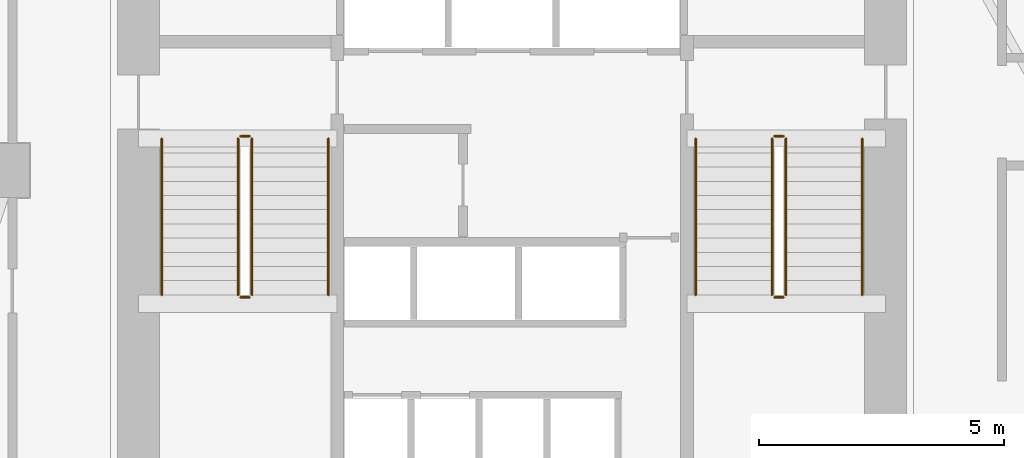
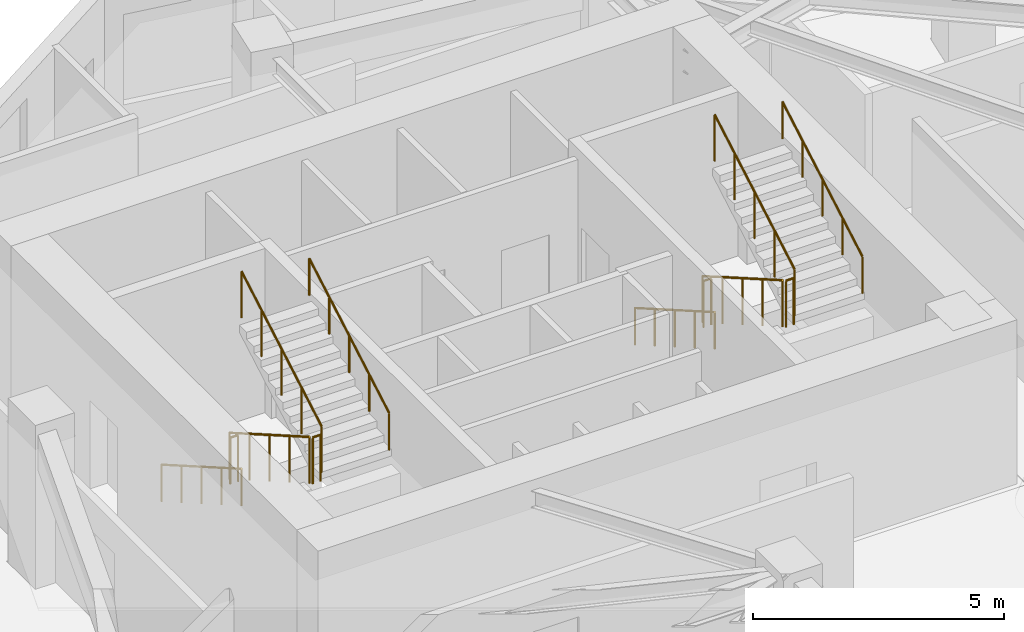
# One storey, part 9 of 9: 12 railings.
"""IFC4 building model written with IfcOpenShell, lengths in metres."""

from ifc_helpers import new_model, si_unit, direction, frame, origin, origin_2d, place, context, subcontext, project, spatial, circle, extrude, material, type_object, element, save


model = new_model("IFC4")

# Units and contexts
model_context = context("Model", 3, precision=1e-05, world=origin(), true_north=direction((0.0, 1.0)))
body_context = subcontext(model_context, "Body", "Model", "MODEL_VIEW")
ifc_project = project(units=[si_unit("LENGTHUNIT", "METRE"), si_unit("AREAUNIT", "SQUARE_METRE"), si_unit("VOLUMEUNIT", "CUBIC_METRE"), si_unit("PLANEANGLEUNIT", "RADIAN"), si_unit("MASSUNIT", "GRAM", prefix="KILO")], contexts=[model_context])

# Site, building, storey
site_placement = place(None, origin())
site = spatial("IfcSite", under=ifc_project, at=site_placement, CompositionType="ELEMENT")
building_placement = place(site_placement, origin())
building = spatial("IfcBuilding", under=site, at=building_placement, Name="Calvemar Wedge Station Tower", CompositionType="ELEMENT")
storey_placement = place(building_placement, frame((0.0, 0.0, 63.0)))
storey = spatial("IfcBuildingStorey", under=building, at=storey_placement, Name="L15", CompositionType="ELEMENT", Elevation=63.0)

# Railings
ifc_material_1 = material(Name="Stainless steel AISI 316L", Category="steel")
railing_type_1 = type_object("IfcRailingType", Name="RL-HANDRAIL-920", PredefinedType="HANDRAIL", material=ifc_material_1)
railing_1_placement = place(storey_placement, frame((16.64990234375, 41.14990234375, 0.166748046875)))
element("IfcRailing", 1, at=railing_1_placement, inside=storey, type_object=railing_type_1, Name="L15 ST-C1 stair handrail 1", PredefinedType="HANDRAIL", context=body_context, shape_type="SweptSolid", body=[
    extrude(circle(Radius=0.02392578125, at=origin_2d()), frame((0.0, 0.0, 0.89599609375), z_axis=(0.0, -0.867019545617, 0.498274128887), x_axis=(1.0, 0.0, 0.0)), (0.0, 0.0, 1.0), 3.67919921875),
    extrude(circle(Radius=0.02099609375, at=origin_2d()), origin(), (0.0, 0.0, 1.0), 0.871826171875),
    extrude(circle(Radius=0.02099609375, at=origin_2d()), frame((0.0, -0.79736328125, 0.458251953125)), (0.0, 0.0, 1.0), 0.871826171875),
    extrude(circle(Radius=0.02099609375, at=origin_2d()), frame((0.0, -1.594970703125, 0.91650390625)), (0.0, 0.0, 1.0), 0.871826171875),
    extrude(circle(Radius=0.02099609375, at=origin_2d()), frame((0.0, -2.392578125, 1.375)), (0.0, 0.0, 1.0), 0.871826171875),
    extrude(circle(Radius=0.02099609375, at=origin_2d()), frame((0.0, -3.18994140625, 1.833251953125)), (0.0, 0.0, 1.0), 0.871826171875),
])
railing_2_placement = place(storey_placement, frame((20.050048828125, 37.9599609375, 2.166748046875)))
element("IfcRailing", 2, at=railing_2_placement, inside=storey, type_object=railing_type_1, Name="L15 ST-C1 stair handrail 2", PredefinedType="HANDRAIL", context=body_context, shape_type="SweptSolid", body=[
    extrude(circle(Radius=0.02392578125, at=origin_2d()), frame((0.0, 0.0, 0.89599609375), z_axis=(0.0, 0.867019545617, 0.498274128887), x_axis=(-1.0, 0.0, 0.0)), (0.0, 0.0, 1.0), 3.67919921875),
    extrude(circle(Radius=0.02099609375, at=origin_2d()), origin(), (0.0, 0.0, 1.0), 0.871826171875),
    extrude(circle(Radius=0.02099609375, at=origin_2d()), frame((0.0, 0.79736328125, 0.458251953125)), (0.0, 0.0, 1.0), 0.871826171875),
    extrude(circle(Radius=0.02099609375, at=origin_2d()), frame((0.0, 1.594970703125, 0.91650390625)), (0.0, 0.0, 1.0), 0.871826171875),
    extrude(circle(Radius=0.02099609375, at=origin_2d()), frame((0.0, 2.392578125, 1.375)), (0.0, 0.0, 1.0), 0.871826171875),
    extrude(circle(Radius=0.02099609375, at=origin_2d()), frame((0.0, 3.18994140625, 1.833251953125)), (0.0, 0.0, 1.0), 0.871826171875),
])
railing_3_placement = place(storey_placement, frame((27.550048828125, 41.14990234375, 0.166748046875)))
element("IfcRailing", 3, at=railing_3_placement, inside=storey, type_object=railing_type_1, Name="L15 ST-C2 stair handrail 1", PredefinedType="HANDRAIL", context=body_context, shape_type="SweptSolid", body=[
    extrude(circle(Radius=0.02392578125, at=origin_2d()), frame((0.0, 0.0, 0.89599609375), z_axis=(0.0, -0.867019545617, 0.498274128887), x_axis=(1.0, 0.0, 0.0)), (0.0, 0.0, 1.0), 3.67919921875),
    extrude(circle(Radius=0.02099609375, at=origin_2d()), origin(), (0.0, 0.0, 1.0), 0.871826171875),
    extrude(circle(Radius=0.02099609375, at=origin_2d()), frame((0.0, -0.79736328125, 0.458251953125)), (0.0, 0.0, 1.0), 0.871826171875),
    extrude(circle(Radius=0.02099609375, at=origin_2d()), frame((0.0, -1.594970703125, 0.91650390625)), (0.0, 0.0, 1.0), 0.871826171875),
    extrude(circle(Radius=0.02099609375, at=origin_2d()), frame((0.0, -2.392578125, 1.375)), (0.0, 0.0, 1.0), 0.871826171875),
    extrude(circle(Radius=0.02099609375, at=origin_2d()), frame((0.0, -3.18994140625, 1.833251953125)), (0.0, 0.0, 1.0), 0.871826171875),
])
railing_4_placement = place(storey_placement, frame((30.949951171875, 37.9599609375, 2.166748046875)))
element("IfcRailing", 4, at=railing_4_placement, inside=storey, type_object=railing_type_1, Name="L15 ST-C2 stair handrail 2", PredefinedType="HANDRAIL", context=body_context, shape_type="SweptSolid", body=[
    extrude(circle(Radius=0.02392578125, at=origin_2d()), frame((0.0, 0.0, 0.89599609375), z_axis=(0.0, 0.867019545617, 0.498274128887), x_axis=(-1.0, 0.0, 0.0)), (0.0, 0.0, 1.0), 3.67919921875),
    extrude(circle(Radius=0.02099609375, at=origin_2d()), origin(), (0.0, 0.0, 1.0), 0.871826171875),
    extrude(circle(Radius=0.02099609375, at=origin_2d()), frame((0.0, 0.79736328125, 0.458251953125)), (0.0, 0.0, 1.0), 0.871826171875),
    extrude(circle(Radius=0.02099609375, at=origin_2d()), frame((0.0, 1.594970703125, 0.91650390625)), (0.0, 0.0, 1.0), 0.871826171875),
    extrude(circle(Radius=0.02099609375, at=origin_2d()), frame((0.0, 2.392578125, 1.375)), (0.0, 0.0, 1.0), 0.871826171875),
    extrude(circle(Radius=0.02099609375, at=origin_2d()), frame((0.0, 3.18994140625, 1.833251953125)), (0.0, 0.0, 1.0), 0.871826171875),
])
ifc_material_2 = material(Name="Painted steel guardrail ASTM A500 Grade C", Category="steel")
railing_type_2 = type_object("IfcRailingType", Name="RL-STAIR-GUARD-1150", PredefinedType="GUARDRAIL", material=ifc_material_2)
railing_5_placement = place(storey_placement, frame((18.2099609375, 41.14990234375, 0.166748046875)))
element("IfcRailing", 5, at=railing_5_placement, inside=storey, type_object=railing_type_2, Name="L15 ST-C1 stair guard 1", PredefinedType="GUARDRAIL", context=body_context, shape_type="SweptSolid", body=[
    extrude(circle(Radius=0.02392578125, at=origin_2d()), frame((0.0, 0.0, 1.1259765625), z_axis=(0.0, -0.867019545617, 0.498274128887), x_axis=(1.0, 0.0, 0.0)), (0.0, 0.0, 1.0), 3.67919921875),
    extrude(circle(Radius=0.02099609375, at=origin_2d()), origin(), (0.0, 0.0, 1.0), 1.101806640625),
    extrude(circle(Radius=0.02099609375, at=origin_2d()), frame((0.0, -0.79736328125, 0.458251953125)), (0.0, 0.0, 1.0), 1.101806640625),
    extrude(circle(Radius=0.02099609375, at=origin_2d()), frame((0.0, -1.594970703125, 0.91650390625)), (0.0, 0.0, 1.0), 1.101806640625),
    extrude(circle(Radius=0.02099609375, at=origin_2d()), frame((0.0, -2.392578125, 1.375)), (0.0, 0.0, 1.0), 1.101806640625),
    extrude(circle(Radius=0.02099609375, at=origin_2d()), frame((0.0, -3.18994140625, 1.833251953125)), (0.0, 0.0, 1.0), 1.101806640625),
])
railing_6_placement = place(storey_placement, frame((18.260009765625, 37.909912109375, 2.0)))
element("IfcRailing", 6, at=railing_6_placement, inside=storey, type_object=railing_type_2, Name="L15 ST-C1 stair guard 2", PredefinedType="GUARDRAIL", context=body_context, shape_type="SweptSolid", body=[
    extrude(circle(Radius=0.02392578125, at=origin_2d()), frame((0.0, 0.0, 1.1259765625), z_axis=(1.0, 0.0, 0.0), x_axis=(0.0, 1.0, 0.0)), (0.0, 0.0, 1.0), 0.179931640625),
    extrude(circle(Radius=0.02099609375, at=origin_2d()), origin(), (0.0, 0.0, 1.0), 1.101806640625),
    extrude(circle(Radius=0.02099609375, at=origin_2d()), frame((0.179931640625, 0.0, 0.0)), (0.0, 0.0, 1.0), 1.101806640625),
])
railing_7_placement = place(storey_placement, frame((18.489990234375, 37.9599609375, 2.166748046875)))
element("IfcRailing", 7, at=railing_7_placement, inside=storey, type_object=railing_type_2, Name="L15 ST-C1 stair guard 3", PredefinedType="GUARDRAIL", context=body_context, shape_type="SweptSolid", body=[
    extrude(circle(Radius=0.02392578125, at=origin_2d()), frame((0.0, 0.0, 1.1259765625), z_axis=(0.0, 0.867019545617, 0.498274128887), x_axis=(-1.0, 0.0, 0.0)), (0.0, 0.0, 1.0), 3.67919921875),
    extrude(circle(Radius=0.02099609375, at=origin_2d()), origin(), (0.0, 0.0, 1.0), 1.101806640625),
    extrude(circle(Radius=0.02099609375, at=origin_2d()), frame((0.0, 0.79736328125, 0.458251953125)), (0.0, 0.0, 1.0), 1.101806640625),
    extrude(circle(Radius=0.02099609375, at=origin_2d()), frame((0.0, 1.594970703125, 0.91650390625)), (0.0, 0.0, 1.0), 1.101806640625),
    extrude(circle(Radius=0.02099609375, at=origin_2d()), frame((0.0, 2.392578125, 1.375)), (0.0, 0.0, 1.0), 1.101806640625),
    extrude(circle(Radius=0.02099609375, at=origin_2d()), frame((0.0, 3.18994140625, 1.833251953125)), (0.0, 0.0, 1.0), 1.101806640625),
])
railing_8_placement = place(storey_placement, frame((18.260009765625, 41.199951171875, 0.0)))
element("IfcRailing", 8, at=railing_8_placement, inside=storey, type_object=railing_type_2, Name="L15 ST-C1 stair guard 4", PredefinedType="GUARDRAIL", context=body_context, shape_type="SweptSolid", body=[
    extrude(circle(Radius=0.02392578125, at=origin_2d()), frame((0.0, 0.0, 1.1259765625), z_axis=(1.0, 0.0, 0.0), x_axis=(0.0, 1.0, 0.0)), (0.0, 0.0, 1.0), 0.179931640625),
    extrude(circle(Radius=0.02099609375, at=origin_2d()), origin(), (0.0, 0.0, 1.0), 1.101806640625),
    extrude(circle(Radius=0.02099609375, at=origin_2d()), frame((0.179931640625, 0.0, 0.0)), (0.0, 0.0, 1.0), 1.101806640625),
])
railing_9_placement = place(storey_placement, frame((29.110107421875, 41.14990234375, 0.166748046875)))
element("IfcRailing", 9, at=railing_9_placement, inside=storey, type_object=railing_type_2, Name="L15 ST-C2 stair guard 1", PredefinedType="GUARDRAIL", context=body_context, shape_type="SweptSolid", body=[
    extrude(circle(Radius=0.02392578125, at=origin_2d()), frame((0.0, 0.0, 1.1259765625), z_axis=(0.0, -0.867019545617, 0.498274128887), x_axis=(1.0, 0.0, 0.0)), (0.0, 0.0, 1.0), 3.67919921875),
    extrude(circle(Radius=0.02099609375, at=origin_2d()), origin(), (0.0, 0.0, 1.0), 1.101806640625),
    extrude(circle(Radius=0.02099609375, at=origin_2d()), frame((0.0, -0.79736328125, 0.458251953125)), (0.0, 0.0, 1.0), 1.101806640625),
    extrude(circle(Radius=0.02099609375, at=origin_2d()), frame((0.0, -1.594970703125, 0.91650390625)), (0.0, 0.0, 1.0), 1.101806640625),
    extrude(circle(Radius=0.02099609375, at=origin_2d()), frame((0.0, -2.392578125, 1.375)), (0.0, 0.0, 1.0), 1.101806640625),
    extrude(circle(Radius=0.02099609375, at=origin_2d()), frame((0.0, -3.18994140625, 1.833251953125)), (0.0, 0.0, 1.0), 1.101806640625),
])
railing_10_placement = place(storey_placement, frame((29.159912109375, 37.909912109375, 2.0)))
element("IfcRailing", 10, at=railing_10_placement, inside=storey, type_object=railing_type_2, Name="L15 ST-C2 stair guard 2", PredefinedType="GUARDRAIL", context=body_context, shape_type="SweptSolid", body=[
    extrude(circle(Radius=0.02392578125, at=origin_2d()), frame((0.0, 0.0, 1.1259765625), z_axis=(1.0, 0.0, 0.0), x_axis=(0.0, 1.0, 0.0)), (0.0, 0.0, 1.0), 0.18017578125),
    extrude(circle(Radius=0.02099609375, at=origin_2d()), origin(), (0.0, 0.0, 1.0), 1.101806640625),
    extrude(circle(Radius=0.02099609375, at=origin_2d()), frame((0.18017578125, 0.0, 0.0)), (0.0, 0.0, 1.0), 1.101806640625),
])
railing_11_placement = place(storey_placement, frame((29.389892578125, 37.9599609375, 2.166748046875)))
element("IfcRailing", 11, at=railing_11_placement, inside=storey, type_object=railing_type_2, Name="L15 ST-C2 stair guard 3", PredefinedType="GUARDRAIL", context=body_context, shape_type="SweptSolid", body=[
    extrude(circle(Radius=0.02392578125, at=origin_2d()), frame((0.0, 0.0, 1.1259765625), z_axis=(0.0, 0.867019545617, 0.498274128887), x_axis=(-1.0, 0.0, 0.0)), (0.0, 0.0, 1.0), 3.67919921875),
    extrude(circle(Radius=0.02099609375, at=origin_2d()), origin(), (0.0, 0.0, 1.0), 1.101806640625),
    extrude(circle(Radius=0.02099609375, at=origin_2d()), frame((0.0, 0.79736328125, 0.458251953125)), (0.0, 0.0, 1.0), 1.101806640625),
    extrude(circle(Radius=0.02099609375, at=origin_2d()), frame((0.0, 1.594970703125, 0.91650390625)), (0.0, 0.0, 1.0), 1.101806640625),
    extrude(circle(Radius=0.02099609375, at=origin_2d()), frame((0.0, 2.392578125, 1.375)), (0.0, 0.0, 1.0), 1.101806640625),
    extrude(circle(Radius=0.02099609375, at=origin_2d()), frame((0.0, 3.18994140625, 1.833251953125)), (0.0, 0.0, 1.0), 1.101806640625),
])
railing_12_placement = place(storey_placement, frame((29.159912109375, 41.199951171875, 0.0)))
element("IfcRailing", 12, at=railing_12_placement, inside=storey, type_object=railing_type_2, Name="L15 ST-C2 stair guard 4", PredefinedType="GUARDRAIL", context=body_context, shape_type="SweptSolid", body=[
    extrude(circle(Radius=0.02392578125, at=origin_2d()), frame((0.0, 0.0, 1.1259765625), z_axis=(1.0, 0.0, 0.0), x_axis=(0.0, 1.0, 0.0)), (0.0, 0.0, 1.0), 0.18017578125),
    extrude(circle(Radius=0.02099609375, at=origin_2d()), origin(), (0.0, 0.0, 1.0), 1.101806640625),
    extrude(circle(Radius=0.02099609375, at=origin_2d()), frame((0.18017578125, 0.0, 0.0)), (0.0, 0.0, 1.0), 1.101806640625),
])

save(model, "model.ifc")
